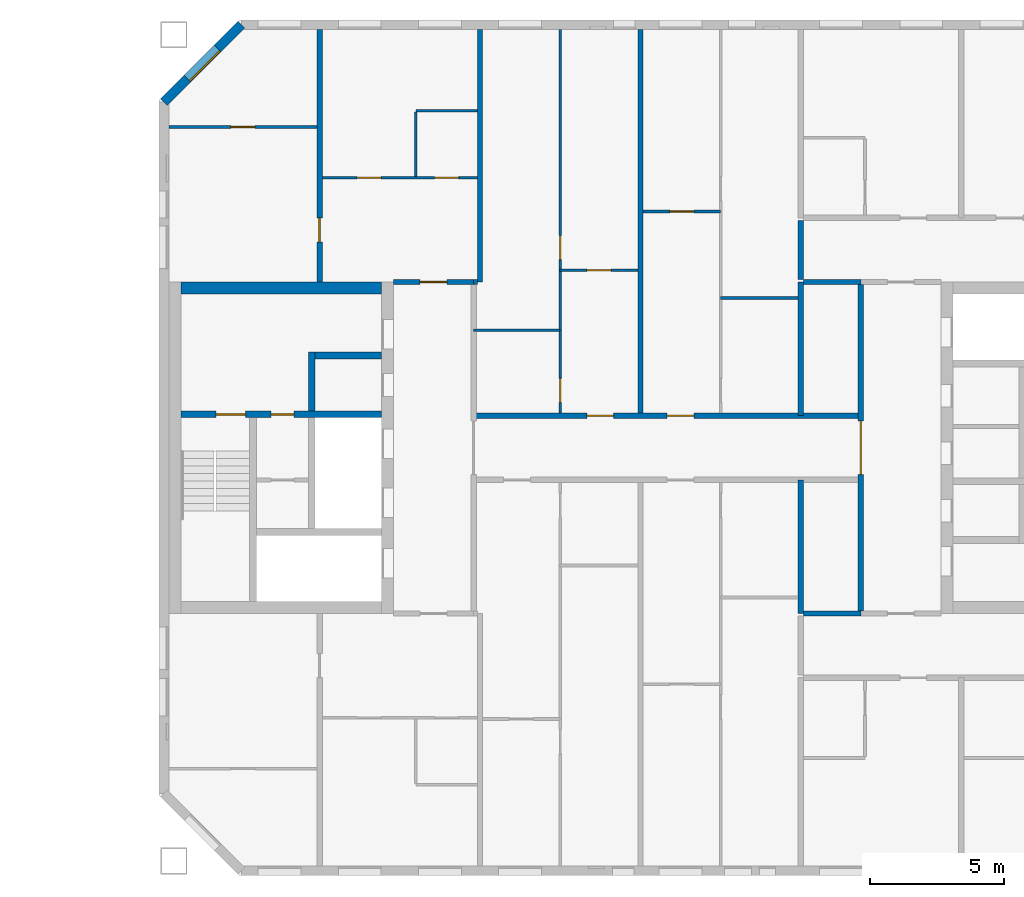
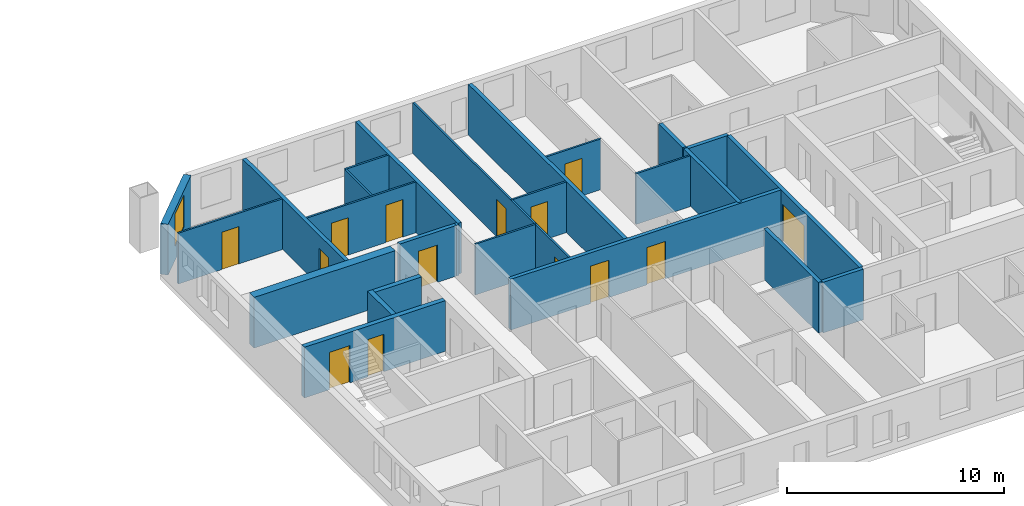
# One storey, part 10 of 15: 26 walls, 14 doors, 1 window, 15 openings.
"""IFC4 building model written with IfcOpenShell, lengths in metres."""

from ifc_helpers import new_model, si_unit, direction, frame, frame_2d, origin, place, context, subcontext, project, spatial, rectangle, extrude, material, layer, layer_set, type_object, element, fill, save


model = new_model("IFC4")

# Units and contexts
model_context = context("Model", 3, precision=1e-05, world=origin(), true_north=direction((0.0, 1.0)))
body_context = subcontext(model_context, "Body", "Model", "MODEL_VIEW")
ifc_project = project(units=[si_unit("LENGTHUNIT", "METRE"), si_unit("AREAUNIT", "SQUARE_METRE"), si_unit("VOLUMEUNIT", "CUBIC_METRE"), si_unit("PLANEANGLEUNIT", "RADIAN"), si_unit("MASSUNIT", "GRAM", prefix="KILO")], contexts=[model_context])

# Site, building, storey
site_placement = place(None, origin())
site = spatial("IfcSite", under=ifc_project, at=site_placement, CompositionType="ELEMENT")
building_placement = place(site_placement, origin())
building = spatial("IfcBuilding", under=site, at=building_placement, Name="Tuart Gate Housing", CompositionType="ELEMENT")
storey_placement = place(building_placement, frame((0.0, 0.0, 188.199951171875)))
storey = spatial("IfcBuildingStorey", under=building, at=storey_placement, Name="L53", CompositionType="ELEMENT", Elevation=188.199951171875)

# Wall, opening, window
ifc_material_1 = material(Name="Brick", Category="masonry")
ifc_layer_1 = layer(ifc_material_1, 0.360107421875)
ifc_layer_set_1 = layer_set([ifc_layer_1], Name="Brick pier and spandrel wall 360")
wall_type_1 = type_object("IfcWallType", Name="Brick pier and spandrel wall 360", PredefinedType="STANDARD", material=ifc_layer_set_1)
wall_1_placement = place(storey_placement, frame((134.07470703125, 85.820068359375, 0.0), z_axis=(0.0, 0.0, 1.0), x_axis=(-0.707106781187, -0.707106781187, 0.0)))
wall_1 = element("IfcWall", 1, at=wall_1_placement, inside=storey, type_object=wall_type_1, Name="External wall B-NW L53", PredefinedType="STANDARD", context=body_context, shape_type="SweptSolid", body=[
    extrude(rectangle(XDim=4.09375, YDim=0.360107421875, at=frame_2d((2.046875, 0.0))), origin(), (0.0, 0.0, 1.0), 2.85009765625),
])
opening_1_placement = place(wall_1_placement, frame((1.2470703125, 0.0, 0.800048828125)))
opening_1 = element("IfcOpeningElement", 2, at=opening_1_placement, cuts=wall_1, Name="Opening W1", PredefinedType="OPENING", context=body_context, shape_type="SweptSolid", body=[
    extrude(rectangle(XDim=1.60009765625, YDim=1.800048828125, at=frame_2d((0.800048828125, 0.89990234375))), frame((0.0, 0.18994140625, 0.0), z_axis=(0.0, -1.0, 0.0), x_axis=(1.0, 0.0, 0.0)), (0.0, 0.0, 1.0), 0.380126953125),
])
ifc_material_2 = material(Name="Aluminium frame with clear glass", Category="aluminium")
window_type = type_object("IfcWindowType", Name="Punched window 1600 x 1800", PartitioningType="SINGLE_PANEL", PredefinedType="WINDOW", material=ifc_material_2)
window_placement = place(opening_1_placement, origin())
window = element("IfcWindow", 3, at=window_placement, inside=storey, type_object=window_type, Name="Window W1", OverallHeight=1.800048828125, OverallWidth=1.60009765625, PartitioningType="SINGLE_PANEL", PredefinedType="WINDOW", context=body_context, shape_type="SweptSolid", body=[
    extrude(rectangle(XDim=1.60009765625, YDim=1.800048828125, at=frame_2d((0.800048828125, 0.89990234375))), frame((0.0, 0.150146484375, 0.0), z_axis=(0.0, -1.0, 0.0), x_axis=(1.0, 0.0, 0.0)), (0.0, 0.0, 1.0), 0.06005859375),
])
fill(opening_1, window)

# Wall, openings, doors
ifc_material_3 = material(Name="Concrete C40", Category="concrete")
ifc_layer_2 = layer(ifc_material_3, 0.25)
ifc_layer_set_2 = layer_set([ifc_layer_2], Name="Core wall 250 C40")
wall_type_2 = type_object("IfcWallType", Name="Core wall 250 C40", PredefinedType="SHEAR", material=ifc_layer_set_2)
wall_2_placement = place(storey_placement, frame((139.31005859375, 71.25, 0.0), z_axis=(0.0, 0.0, 1.0), x_axis=(-1.0, 0.0, 0.0)))
wall_2 = element("IfcWall", 4, at=wall_2_placement, inside=storey, type_object=wall_type_2, Name="Core wall BG.3", PredefinedType="SHEAR", context=body_context, shape_type="SweptSolid", body=[
    extrude(rectangle(XDim=7.5, YDim=0.25, at=frame_2d((3.75, 0.0))), origin(), (0.0, 0.0, 1.0), 2.85009765625),
])
opening_2_placement = place(wall_2_placement, frame((5.074951171875, 0.0, 0.0)))
opening_2 = element("IfcOpeningElement", 5, at=opening_2_placement, cuts=wall_2, Name="Opening D1914", PredefinedType="OPENING", context=body_context, shape_type="SweptSolid", body=[
    extrude(rectangle(XDim=1.10009765625, YDim=2.10009765625, at=frame_2d((0.550048828125, 1.050048828125))), frame((0.0, 0.135009765625, 0.0), z_axis=(0.0, -1.0, 0.0), x_axis=(1.0, 0.0, 0.0)), (0.0, 0.0, 1.0), 0.27001953125),
])
opening_3_placement = place(wall_2_placement, frame((3.27490234375, 0.0, 0.0)))
opening_3 = element("IfcOpeningElement", 6, at=opening_3_placement, cuts=wall_2, Name="Opening D1913", PredefinedType="OPENING", context=body_context, shape_type="SweptSolid", body=[
    extrude(rectangle(XDim=0.85009765625, YDim=2.10009765625, at=frame_2d((0.425048828125, 1.050048828125))), frame((0.0, 0.135009765625, 0.0), z_axis=(0.0, -1.0, 0.0), x_axis=(1.0, 0.0, 0.0)), (0.0, 0.0, 1.0), 0.27001953125),
])
ifc_material_4 = material(Name="Steel fire door", Category="steel")
door_type_1 = type_object("IfcDoorType", Name="Riser door 850 x 2100", OperationType="SINGLE_SWING_LEFT", PredefinedType="DOOR", material=ifc_material_4)
door_1_placement = place(opening_3_placement, origin())
door_1 = element("IfcDoor", 7, at=door_1_placement, inside=storey, type_object=door_type_1, Name="Service room door BG.W1", OperationType="SINGLE_SWING_LEFT", OverallHeight=2.10009765625, OverallWidth=0.85009765625, PredefinedType="DOOR", context=body_context, shape_type="SweptSolid", body=[
    extrude(rectangle(XDim=0.85009765625, YDim=2.10009765625, at=frame_2d((0.425048828125, 1.050048828125))), frame((0.0, 0.02490234375, 0.0), z_axis=(0.0, -1.0, 0.0), x_axis=(1.0, 0.0, 0.0)), (0.0, 0.0, 1.0), 0.050048828125),
])
fill(opening_3, door_1)
ifc_material_5 = material(Name="Steel fire door", Category="steel")
door_type_2 = type_object("IfcDoorType", Name="Stair door 1100 x 2100", OperationType="SINGLE_SWING_LEFT", PredefinedType="DOOR", material=ifc_material_5)
door_2_placement = place(opening_2_placement, origin())
door_2 = element("IfcDoor", 8, at=door_2_placement, inside=storey, type_object=door_type_2, Name="Stair door BG.SD", OperationType="SINGLE_SWING_LEFT", OverallHeight=2.10009765625, OverallWidth=1.10009765625, PredefinedType="DOOR", context=body_context, shape_type="SweptSolid", body=[
    extrude(rectangle(XDim=1.10009765625, YDim=2.10009765625, at=frame_2d((0.550048828125, 1.050048828125))), frame((0.0, 0.02490234375, 0.0), z_axis=(0.0, -1.0, 0.0), x_axis=(1.0, 0.0, 0.0)), (0.0, 0.0, 1.0), 0.050048828125),
])
fill(opening_2, door_2)

# Walls
wall_3_placement = place(storey_placement, frame((139.31005859375, 73.449951171875, 0.0), z_axis=(0.0, 0.0, 1.0), x_axis=(-1.0, 0.0, 0.0)))
element("IfcWall", 9, at=wall_3_placement, inside=storey, type_object=wall_type_2, Name="Core wall BG.4", PredefinedType="SHEAR", context=body_context, shape_type="SweptSolid", body=[
    extrude(rectangle(XDim=2.47509765625, YDim=0.25, at=frame_2d((1.237548828125, 0.0))), origin(), (0.0, 0.0, 1.0), 2.85009765625),
])
wall_4_placement = place(storey_placement, frame((136.7099609375, 71.375, 0.0), z_axis=(0.0, 0.0, 1.0), x_axis=(0.0, 1.0, 0.0)))
element("IfcWall", 10, at=wall_4_placement, inside=storey, type_object=wall_type_2, Name="Core wall BG.6", PredefinedType="SHEAR", context=body_context, shape_type="SweptSolid", body=[
    extrude(rectangle(XDim=2.199951171875, YDim=0.25, at=frame_2d((1.10009765625, 0.0))), origin(), (0.0, 0.0, 1.0), 2.85009765625),
])
ifc_material_6 = material(Name="Concrete C40", Category="concrete")
ifc_layer_3 = layer(ifc_material_6, 0.449951171875)
ifc_layer_set_3 = layer_set([ifc_layer_3], Name="Core wall 450 C40")
wall_type_3 = type_object("IfcWallType", Name="Core wall 450 C40", PredefinedType="SHEAR", material=ifc_layer_set_3)
wall_5_placement = place(storey_placement, frame((139.31005859375, 75.97509765625, 0.0), z_axis=(0.0, 0.0, 1.0), x_axis=(-1.0, 0.0, 0.0)))
element("IfcWall", 11, at=wall_5_placement, inside=storey, type_object=wall_type_3, Name="Core wall BG north", PredefinedType="SHEAR", context=body_context, shape_type="SweptSolid", body=[
    extrude(rectangle(XDim=7.5, YDim=0.449951171875, at=frame_2d((3.75, 0.0))), origin(), (0.0, 0.0, 1.0), 2.85009765625),
])
ifc_material_7 = material(Name="Concrete masonry 15 MPa", Category="masonry")
ifc_layer_4 = layer(ifc_material_7, 0.199951171875)
ifc_layer_set_4 = layer_set([ifc_layer_4], Name="Corridor wall masonry 200")
wall_type_4 = type_object("IfcWallType", Name="Corridor wall masonry 200", PredefinedType="PARTITIONING", material=ifc_layer_set_4)
wall_6_placement = place(storey_placement, frame((155.10009765625, 63.800048828125, 0.0), z_axis=(0.0, 0.0, 1.0), x_axis=(1.0, 0.0, 0.0)))
element("IfcWall", 12, at=wall_6_placement, inside=storey, type_object=wall_type_4, Name="Corridor wall masonry 200", PredefinedType="PARTITIONING", context=body_context, shape_type="SweptSolid", body=[
    extrude(rectangle(XDim=2.139892578125, YDim=0.199951171875, at=frame_2d((1.06982421875, 0.0))), origin(), (0.0, 0.0, 1.0), 2.85009765625),
])

# Wall, openings, doors
wall_7_placement = place(storey_placement, frame((142.760009765625, 71.199951171875, 0.0), z_axis=(0.0, 0.0, 1.0), x_axis=(1.0, 0.0, 0.0)))
wall_7 = element("IfcWall", 13, at=wall_7_placement, inside=storey, type_object=wall_type_4, Name="Corridor wall masonry 200", PredefinedType="PARTITIONING", context=body_context, shape_type="SweptSolid", body=[
    extrude(rectangle(XDim=14.47998046875, YDim=0.199951171875, at=frame_2d((7.239990234375, 0.0))), origin(), (0.0, 0.0, 1.0), 2.85009765625),
])
opening_4_placement = place(wall_7_placement, frame((4.239990234375, 0.0, 0.0)))
opening_4 = element("IfcOpeningElement", 14, at=opening_4_placement, cuts=wall_7, Name="Opening D1915", PredefinedType="OPENING", context=body_context, shape_type="SweptSolid", body=[
    extrude(rectangle(XDim=1.0, YDim=2.10009765625, at=frame_2d((0.5, 1.050048828125))), frame((0.0, 0.10986328125, 0.0), z_axis=(0.0, -1.0, 0.0), x_axis=(1.0, 0.0, 0.0)), (0.0, 0.0, 1.0), 0.219970703125),
])
opening_5_placement = place(wall_7_placement, frame((7.239990234375, 0.0, 0.0)))
opening_5 = element("IfcOpeningElement", 15, at=opening_5_placement, cuts=wall_7, Name="Opening D1916", PredefinedType="OPENING", context=body_context, shape_type="SweptSolid", body=[
    extrude(rectangle(XDim=1.0, YDim=2.10009765625, at=frame_2d((0.5, 1.050048828125))), frame((0.0, 0.10986328125, 0.0), z_axis=(0.0, -1.0, 0.0), x_axis=(1.0, 0.0, 0.0)), (0.0, 0.0, 1.0), 0.219970703125),
])
ifc_material_8 = material(Name="Timber door leaf in steel frame", Category="steel")
door_type_3 = type_object("IfcDoorType", Name="Flat entrance door 1000", OperationType="SINGLE_SWING_LEFT", PredefinedType="DOOR", material=ifc_material_8)
door_3_placement = place(opening_4_placement, origin())
door_3 = element("IfcDoor", 16, at=door_3_placement, inside=storey, type_object=door_type_3, Name="Flat entrance door", OperationType="SINGLE_SWING_LEFT", OverallHeight=2.10009765625, OverallWidth=1.0, PredefinedType="DOOR", context=body_context, shape_type="SweptSolid", body=[
    extrude(rectangle(XDim=1.0, YDim=2.10009765625, at=frame_2d((0.5, 1.050048828125))), frame((0.0, 0.02490234375, 0.0), z_axis=(0.0, -1.0, 0.0), x_axis=(1.0, 0.0, 0.0)), (0.0, 0.0, 1.0), 0.050048828125),
])
fill(opening_4, door_3)
door_4_placement = place(opening_5_placement, origin())
door_4 = element("IfcDoor", 17, at=door_4_placement, inside=storey, type_object=door_type_3, Name="Flat entrance door", OperationType="SINGLE_SWING_LEFT", OverallHeight=2.10009765625, OverallWidth=1.0, PredefinedType="DOOR", context=body_context, shape_type="SweptSolid", body=[
    extrude(rectangle(XDim=1.0, YDim=2.10009765625, at=frame_2d((0.5, 1.050048828125))), frame((0.0, 0.02490234375, 0.0), z_axis=(0.0, -1.0, 0.0), x_axis=(1.0, 0.0, 0.0)), (0.0, 0.0, 1.0), 0.050048828125),
])
fill(opening_5, door_4)

# Walls
wall_8_placement = place(storey_placement, frame((155.10009765625, 76.199951171875, 0.0), z_axis=(0.0, 0.0, 1.0), x_axis=(1.0, 0.0, 0.0)))
element("IfcWall", 18, at=wall_8_placement, inside=storey, type_object=wall_type_4, Name="Corridor wall masonry 200", PredefinedType="PARTITIONING", context=body_context, shape_type="SweptSolid", body=[
    extrude(rectangle(XDim=2.139892578125, YDim=0.199951171875, at=frame_2d((1.06982421875, 0.0))), origin(), (0.0, 0.0, 1.0), 2.85009765625),
])
wall_9_placement = place(storey_placement, frame((155.0, 76.300048828125, 0.0), z_axis=(0.0, 0.0, 1.0), x_axis=(0.0, 1.0, 0.0)))
element("IfcWall", 19, at=wall_9_placement, inside=storey, type_object=wall_type_4, Name="Corridor wall masonry 200", PredefinedType="PARTITIONING", context=body_context, shape_type="SweptSolid", body=[
    extrude(rectangle(XDim=2.199951171875, YDim=0.199951171875, at=frame_2d((1.10009765625, 0.0))), origin(), (0.0, 0.0, 1.0), 2.85009765625),
])

# Wall, opening, door
ifc_material_9 = material(Name="Concrete masonry 15 MPa", Category="masonry")
ifc_layer_5 = layer(ifc_material_9, 0.199951171875)
ifc_layer_set_5 = layer_set([ifc_layer_5], Name="Enclosure wall masonry 200")
wall_type_5 = type_object("IfcWallType", Name="Enclosure wall masonry 200", PredefinedType="PARTITIONING", material=ifc_layer_set_5)
wall_10_placement = place(storey_placement, frame((139.760009765625, 76.199951171875, 0.0), z_axis=(0.0, 0.0, 1.0), x_axis=(1.0, 0.0, 0.0)))
wall_10 = element("IfcWall", 20, at=wall_10_placement, inside=storey, type_object=wall_type_5, Name="Enclosure wall masonry 200", PredefinedType="PARTITIONING", context=body_context, shape_type="SweptSolid", body=[
    extrude(rectangle(XDim=3.0, YDim=0.199951171875, at=frame_2d((1.5, 0.0))), origin(), (0.0, 0.0, 1.0), 2.85009765625),
])
opening_6_placement = place(wall_10_placement, frame((1.0, 0.0, 0.0)))
opening_6 = element("IfcOpeningElement", 21, at=opening_6_placement, cuts=wall_10, Name="Opening D1911", PredefinedType="OPENING", context=body_context, shape_type="SweptSolid", body=[
    extrude(rectangle(XDim=1.0, YDim=2.10009765625, at=frame_2d((0.5, 1.050048828125))), frame((0.0, 0.10986328125, 0.0), z_axis=(0.0, -1.0, 0.0), x_axis=(1.0, 0.0, 0.0)), (0.0, 0.0, 1.0), 0.219970703125),
])
ifc_material_10 = material(Name="Timber door leaf in steel frame", Category="steel")
door_type_4 = type_object("IfcDoorType", Name="Flat entrance door 1000 RH", OperationType="SINGLE_SWING_RIGHT", PredefinedType="DOOR", material=ifc_material_10)
door_5_placement = place(opening_6_placement, origin())
door_5 = element("IfcDoor", 22, at=door_5_placement, inside=storey, type_object=door_type_4, Name="Flat entrance door", OperationType="SINGLE_SWING_RIGHT", OverallHeight=2.10009765625, OverallWidth=1.0, PredefinedType="DOOR", context=body_context, shape_type="SweptSolid", body=[
    extrude(rectangle(XDim=1.0, YDim=2.10009765625, at=frame_2d((0.5, 1.050048828125))), frame((0.0, 0.02490234375, 0.0), z_axis=(0.0, -1.0, 0.0), x_axis=(1.0, 0.0, 0.0)), (0.0, 0.0, 1.0), 0.050048828125),
])
fill(opening_6, door_5)

ifc_material_11 = material(Name="Plasterboard partition")
ifc_layer_6 = layer(ifc_material_11, 0.199951171875)
ifc_layer_set_6 = layer_set([ifc_layer_6], Name="Lobby wall 200")
wall_type_6 = type_object("IfcWallType", Name="Lobby wall 200", PredefinedType="PARTITIONING", material=ifc_layer_set_6)
wall_11_placement = place(storey_placement, frame((157.239990234375, 63.89990234375, 0.0), z_axis=(0.0, 0.0, 1.0), x_axis=(0.0, 1.0, 0.0)))
wall_11 = element("IfcWall", 23, at=wall_11_placement, inside=storey, type_object=wall_type_6, Name="Lift lobby wall BK", PredefinedType="PARTITIONING", context=body_context, shape_type="SweptSolid", body=[
    extrude(rectangle(XDim=12.2001953125, YDim=0.199951171875, at=frame_2d((6.10009765625, 0.0))), origin(), (0.0, 0.0, 1.0), 2.85009765625),
])
opening_7_placement = place(wall_11_placement, frame((5.10009765625, 0.0, 0.0)))
opening_7 = element("IfcOpeningElement", 24, at=opening_7_placement, cuts=wall_11, Name="Opening D1920", PredefinedType="OPENING", context=body_context, shape_type="SweptSolid", body=[
    extrude(rectangle(XDim=2.0, YDim=2.10009765625, at=frame_2d((1.0, 1.050048828125))), frame((0.0, 0.10986328125, 0.0), z_axis=(0.0, -1.0, 0.0), x_axis=(1.0, 0.0, 0.0)), (0.0, 0.0, 1.0), 0.219970703125),
])
ifc_material_12 = material(Name="Steel fire door", Category="steel")
door_type_5 = type_object("IfcDoorType", Name="Smoke door 2000 x 2100", OperationType="DOUBLE_DOOR_SINGLE_SWING", PredefinedType="DOOR", material=ifc_material_12)
door_6_placement = place(opening_7_placement, frame((2.0, 0.0, 0.0), z_axis=(0.0, 0.0, 1.0), x_axis=(-1.0, 0.0, 0.0)))
door_6 = element("IfcDoor", 25, at=door_6_placement, inside=storey, type_object=door_type_5, Name="Lift lobby smoke door BK", OperationType="DOUBLE_DOOR_SINGLE_SWING", OverallHeight=2.10009765625, OverallWidth=2.0, PredefinedType="DOOR", context=body_context, shape_type="SweptSolid", body=[
    extrude(rectangle(XDim=2.0, YDim=2.10009765625, at=frame_2d((1.0, 1.050048828125))), frame((0.0, 0.025146484375, 0.0), z_axis=(0.0, -1.0, 0.0), x_axis=(1.0, 0.0, 0.0)), (0.0, 0.0, 1.0), 0.050048828125),
])
fill(opening_7, door_6)

# Walls
ifc_material_13 = material(Name="Gypsum board on steel studs", Category="steel")
ifc_layer_7 = layer(ifc_material_13, 0.10009765625)
ifc_layer_set_7 = layer_set([ifc_layer_7], Name="Partition 100")
wall_type_7 = type_object("IfcWallType", Name="Partition 100", PredefinedType="PARTITIONING", material=ifc_layer_set_7)
wall_12_placement = place(storey_placement, frame((142.760009765625, 74.39990234375, 0.0), z_axis=(0.0, 0.0, 1.0), x_axis=(1.0, 0.0, 0.0)))
element("IfcWall", 26, at=wall_12_placement, inside=storey, type_object=wall_type_7, Name="Partition 100", PredefinedType="PARTITIONING", context=body_context, shape_type="SweptSolid", body=[
    extrude(rectangle(XDim=3.239990234375, YDim=0.10009765625, at=frame_2d((1.6201171875, 0.0))), origin(), (0.0, 0.0, 1.0), 2.85009765625),
])
wall_13_placement = place(storey_placement, frame((152.0, 75.60009765625, 0.0), z_axis=(0.0, 0.0, 1.0), x_axis=(1.0, 0.0, 0.0)))
element("IfcWall", 27, at=wall_13_placement, inside=storey, type_object=wall_type_7, Name="Partition 100", PredefinedType="PARTITIONING", context=body_context, shape_type="SweptSolid", body=[
    extrude(rectangle(XDim=2.89990234375, YDim=0.10009765625, at=frame_2d((1.449951171875, 0.0))), origin(), (0.0, 0.0, 1.0), 2.85009765625),
])

# Wall, opening, door
wall_14_placement = place(storey_placement, frame((146.0, 76.639892578125, 0.0), z_axis=(0.0, 0.0, 1.0), x_axis=(1.0, 0.0, 0.0)))
wall_14 = element("IfcWall", 28, at=wall_14_placement, inside=storey, type_object=wall_type_7, Name="Partition 100", PredefinedType="PARTITIONING", context=body_context, shape_type="SweptSolid", body=[
    extrude(rectangle(XDim=2.89990234375, YDim=0.10009765625, at=frame_2d((1.449951171875, 0.0))), origin(), (0.0, 0.0, 1.0), 2.85009765625),
])
opening_8_placement = place(wall_14_placement, frame((1.0, 0.0, 0.0)))
opening_8 = element("IfcOpeningElement", 29, at=opening_8_placement, cuts=wall_14, Name="Opening D1910", PredefinedType="OPENING", context=body_context, shape_type="SweptSolid", body=[
    extrude(rectangle(XDim=0.89990234375, YDim=2.10009765625, at=frame_2d((0.449951171875, 1.050048828125))), frame((0.0, 0.06005859375, 0.0), z_axis=(0.0, -1.0, 0.0), x_axis=(1.0, 0.0, 0.0)), (0.0, 0.0, 1.0), 0.1201171875),
])
ifc_material_14 = material(Name="Timber door leaf in steel frame", Category="steel")
door_type_6 = type_object("IfcDoorType", Name="Internal door 900 RH", OperationType="SINGLE_SWING_RIGHT", PredefinedType="DOOR", material=ifc_material_14)
door_7_placement = place(opening_8_placement, frame((0.89990234375, 0.0, 0.0), z_axis=(0.0, 0.0, 1.0), x_axis=(-1.0, 0.0, 0.0)))
door_7 = element("IfcDoor", 30, at=door_7_placement, inside=storey, type_object=door_type_6, Name="Internal door", OperationType="SINGLE_SWING_RIGHT", OverallHeight=2.10009765625, OverallWidth=0.89990234375, PredefinedType="DOOR", context=body_context, shape_type="SweptSolid", body=[
    extrude(rectangle(XDim=0.89990234375, YDim=2.10009765625, at=frame_2d((0.449951171875, 1.050048828125))), frame((0.0, 0.025146484375, 0.0), z_axis=(0.0, -1.0, 0.0), x_axis=(1.0, 0.0, 0.0)), (0.0, 0.0, 1.0), 0.050048828125),
])
fill(opening_8, door_7)

wall_15_placement = place(storey_placement, frame((149.10009765625, 78.840087890625, 0.0), z_axis=(0.0, 0.0, 1.0), x_axis=(1.0, 0.0, 0.0)))
wall_15 = element("IfcWall", 31, at=wall_15_placement, inside=storey, type_object=wall_type_7, Name="Partition 100", PredefinedType="PARTITIONING", context=body_context, shape_type="SweptSolid", body=[
    extrude(rectangle(XDim=2.89990234375, YDim=0.10009765625, at=frame_2d((1.449951171875, 0.0))), origin(), (0.0, 0.0, 1.0), 2.85009765625),
])
opening_9_placement = place(wall_15_placement, frame((1.0, 0.0, 0.0)))
opening_9 = element("IfcOpeningElement", 32, at=opening_9_placement, cuts=wall_15, Name="Opening D1903", PredefinedType="OPENING", context=body_context, shape_type="SweptSolid", body=[
    extrude(rectangle(XDim=0.89990234375, YDim=2.10009765625, at=frame_2d((0.449951171875, 1.050048828125))), frame((0.0, 0.06005859375, 0.0), z_axis=(0.0, -1.0, 0.0), x_axis=(1.0, 0.0, 0.0)), (0.0, 0.0, 1.0), 0.1201171875),
])
ifc_material_15 = material(Name="Timber door leaf in steel frame", Category="steel")
door_type_7 = type_object("IfcDoorType", Name="Internal door 900", OperationType="SINGLE_SWING_LEFT", PredefinedType="DOOR", material=ifc_material_15)
door_8_placement = place(opening_9_placement, frame((0.89990234375, 0.0, 0.0), z_axis=(0.0, 0.0, 1.0), x_axis=(-1.0, 0.0, 0.0)))
door_8 = element("IfcDoor", 33, at=door_8_placement, inside=storey, type_object=door_type_7, Name="Internal door", OperationType="SINGLE_SWING_LEFT", OverallHeight=2.10009765625, OverallWidth=0.89990234375, PredefinedType="DOOR", context=body_context, shape_type="SweptSolid", body=[
    extrude(rectangle(XDim=0.89990234375, YDim=2.10009765625, at=frame_2d((0.449951171875, 1.050048828125))), frame((0.0, 0.025146484375, 0.0), z_axis=(0.0, -1.0, 0.0), x_axis=(1.0, 0.0, 0.0)), (0.0, 0.0, 1.0), 0.050048828125),
])
fill(opening_9, door_8)

# Wall, openings, doors
wall_16_placement = place(storey_placement, frame((137.10009765625, 80.10009765625, 0.0), z_axis=(0.0, 0.0, 1.0), x_axis=(1.0, 0.0, 0.0)))
wall_16 = element("IfcWall", 34, at=wall_16_placement, inside=storey, type_object=wall_type_7, Name="Partition 100", PredefinedType="PARTITIONING", context=body_context, shape_type="SweptSolid", body=[
    extrude(rectangle(XDim=5.7998046875, YDim=0.10009765625, at=frame_2d((2.89990234375, 0.0))), origin(), (0.0, 0.0, 1.0), 2.85009765625),
])
opening_10_placement = place(wall_16_placement, frame((1.300048828125, 0.0, 0.0)))
opening_10 = element("IfcOpeningElement", 35, at=opening_10_placement, cuts=wall_16, Name="Opening D1902", PredefinedType="OPENING", context=body_context, shape_type="SweptSolid", body=[
    extrude(rectangle(XDim=0.89990234375, YDim=2.10009765625, at=frame_2d((0.449951171875, 1.050048828125))), frame((0.0, 0.06005859375, 0.0), z_axis=(0.0, -1.0, 0.0), x_axis=(1.0, 0.0, 0.0)), (0.0, 0.0, 1.0), 0.1201171875),
])
opening_11_placement = place(wall_16_placement, frame((4.199951171875, 0.0, 0.0)))
opening_11 = element("IfcOpeningElement", 36, at=opening_11_placement, cuts=wall_16, Name="Opening D1901", PredefinedType="OPENING", context=body_context, shape_type="SweptSolid", body=[
    extrude(rectangle(XDim=0.89990234375, YDim=2.10009765625, at=frame_2d((0.449951171875, 1.050048828125))), frame((0.0, 0.06005859375, 0.0), z_axis=(0.0, -1.0, 0.0), x_axis=(1.0, 0.0, 0.0)), (0.0, 0.0, 1.0), 0.1201171875),
])
ifc_material_16 = material(Name="Timber door leaf in steel frame", Category="steel")
door_type_8 = type_object("IfcDoorType", Name="Bathroom door 900", OperationType="SINGLE_SWING_LEFT", PredefinedType="DOOR", material=ifc_material_16)
door_9_placement = place(opening_11_placement, origin())
door_9 = element("IfcDoor", 37, at=door_9_placement, inside=storey, type_object=door_type_8, Name="Bathroom door", OperationType="SINGLE_SWING_LEFT", OverallHeight=2.10009765625, OverallWidth=0.89990234375, PredefinedType="DOOR", context=body_context, shape_type="SweptSolid", body=[
    extrude(rectangle(XDim=0.89990234375, YDim=2.10009765625, at=frame_2d((0.449951171875, 1.050048828125))), frame((0.0, 0.02490234375, 0.0), z_axis=(0.0, -1.0, 0.0), x_axis=(1.0, 0.0, 0.0)), (0.0, 0.0, 1.0), 0.050048828125),
])
fill(opening_11, door_9)
door_10_placement = place(opening_10_placement, origin())
door_10 = element("IfcDoor", 38, at=door_10_placement, inside=storey, type_object=door_type_6, Name="Internal door", OperationType="SINGLE_SWING_RIGHT", OverallHeight=2.10009765625, OverallWidth=0.89990234375, PredefinedType="DOOR", context=body_context, shape_type="SweptSolid", body=[
    extrude(rectangle(XDim=0.89990234375, YDim=2.10009765625, at=frame_2d((0.449951171875, 1.050048828125))), frame((0.0, 0.02490234375, 0.0), z_axis=(0.0, -1.0, 0.0), x_axis=(1.0, 0.0, 0.0)), (0.0, 0.0, 1.0), 0.050048828125),
])
fill(opening_10, door_10)

# Wall, opening, door
wall_17_placement = place(storey_placement, frame((131.360107421875, 82.0, 0.0), z_axis=(0.0, 0.0, 1.0), x_axis=(1.0, 0.0, 0.0)))
wall_17 = element("IfcWall", 39, at=wall_17_placement, inside=storey, type_object=wall_type_7, Name="Partition 100", PredefinedType="PARTITIONING", context=body_context, shape_type="SweptSolid", body=[
    extrude(rectangle(XDim=5.539794921875, YDim=0.10009765625, at=frame_2d((2.77001953125, 0.0))), origin(), (0.0, 0.0, 1.0), 2.85009765625),
])
opening_12_placement = place(wall_17_placement, frame((2.320068359375, 0.0, 0.0)))
opening_12 = element("IfcOpeningElement", 40, at=opening_12_placement, cuts=wall_17, Name="Opening D1897", PredefinedType="OPENING", context=body_context, shape_type="SweptSolid", body=[
    extrude(rectangle(XDim=0.89990234375, YDim=2.10009765625, at=frame_2d((0.449951171875, 1.050048828125))), frame((0.0, 0.06005859375, 0.0), z_axis=(0.0, -1.0, 0.0), x_axis=(1.0, 0.0, 0.0)), (0.0, 0.0, 1.0), 0.1201171875),
])
door_11_placement = place(opening_12_placement, origin())
door_11 = element("IfcDoor", 41, at=door_11_placement, inside=storey, type_object=door_type_7, Name="Internal door", OperationType="SINGLE_SWING_LEFT", OverallHeight=2.10009765625, OverallWidth=0.89990234375, PredefinedType="DOOR", context=body_context, shape_type="SweptSolid", body=[
    extrude(rectangle(XDim=0.89990234375, YDim=2.10009765625, at=frame_2d((0.449951171875, 1.050048828125))), frame((0.0, 0.02490234375, 0.0), z_axis=(0.0, -1.0, 0.0), x_axis=(1.0, 0.0, 0.0)), (0.0, 0.0, 1.0), 0.050048828125),
])
fill(opening_12, door_11)

# Walls
wall_18_placement = place(storey_placement, frame((140.60009765625, 82.60009765625, 0.0), z_axis=(0.0, 0.0, 1.0), x_axis=(1.0, 0.0, 0.0)))
element("IfcWall", 42, at=wall_18_placement, inside=storey, type_object=wall_type_7, Name="Partition 100", PredefinedType="PARTITIONING", context=body_context, shape_type="SweptSolid", body=[
    extrude(rectangle(XDim=2.2998046875, YDim=0.10009765625, at=frame_2d((1.14990234375, 0.0))), origin(), (0.0, 0.0, 1.0), 2.85009765625),
])
wall_19_placement = place(storey_placement, frame((140.60009765625, 80.14990234375, 0.0), z_axis=(0.0, 0.0, 1.0), x_axis=(0.0, 1.0, 0.0)))
element("IfcWall", 43, at=wall_19_placement, inside=storey, type_object=wall_type_7, Name="Partition 100", PredefinedType="PARTITIONING", context=body_context, shape_type="SweptSolid", body=[
    extrude(rectangle(XDim=2.400146484375, YDim=0.10009765625, at=frame_2d((1.2001953125, 0.0))), origin(), (0.0, 0.0, 1.0), 2.85009765625),
])

# Wall, openings, doors
wall_20_placement = place(storey_placement, frame((146.0, 71.300048828125, 0.0), z_axis=(0.0, 0.0, 1.0), x_axis=(0.0, 1.0, 0.0)))
wall_20 = element("IfcWall", 44, at=wall_20_placement, inside=storey, type_object=wall_type_7, Name="Partition 100", PredefinedType="PARTITIONING", context=body_context, shape_type="SweptSolid", body=[
    extrude(rectangle(XDim=14.33984375, YDim=0.10009765625, at=frame_2d((7.169921875, 0.0))), origin(), (0.0, 0.0, 1.0), 2.85009765625),
])
opening_13_placement = place(wall_20_placement, frame((5.739990234375, 0.0, 0.0)))
opening_13 = element("IfcOpeningElement", 45, at=opening_13_placement, cuts=wall_20, Name="Opening D1907", PredefinedType="OPENING", context=body_context, shape_type="SweptSolid", body=[
    extrude(rectangle(XDim=0.89990234375, YDim=2.10009765625, at=frame_2d((0.449951171875, 1.050048828125))), frame((0.0, 0.06005859375, 0.0), z_axis=(0.0, -1.0, 0.0), x_axis=(1.0, 0.0, 0.0)), (0.0, 0.0, 1.0), 0.1201171875),
])
opening_14_placement = place(wall_20_placement, frame((0.39990234375, 0.0, 0.0)))
opening_14 = element("IfcOpeningElement", 46, at=opening_14_placement, cuts=wall_20, Name="Opening D1906", PredefinedType="OPENING", context=body_context, shape_type="SweptSolid", body=[
    extrude(rectangle(XDim=0.89990234375, YDim=2.10009765625, at=frame_2d((0.449951171875, 1.050048828125))), frame((0.0, 0.06005859375, 0.0), z_axis=(0.0, -1.0, 0.0), x_axis=(1.0, 0.0, 0.0)), (0.0, 0.0, 1.0), 0.1201171875),
])
door_12_placement = place(opening_14_placement, origin())
door_12 = element("IfcDoor", 47, at=door_12_placement, inside=storey, type_object=door_type_8, Name="Bathroom door", OperationType="SINGLE_SWING_LEFT", OverallHeight=2.10009765625, OverallWidth=0.89990234375, PredefinedType="DOOR", context=body_context, shape_type="SweptSolid", body=[
    extrude(rectangle(XDim=0.89990234375, YDim=2.10009765625, at=frame_2d((0.449951171875, 1.050048828125))), frame((0.0, 0.02490234375, 0.0), z_axis=(0.0, -1.0, 0.0), x_axis=(1.0, 0.0, 0.0)), (0.0, 0.0, 1.0), 0.050048828125),
])
fill(opening_14, door_12)
door_13_placement = place(opening_13_placement, origin())
door_13 = element("IfcDoor", 48, at=door_13_placement, inside=storey, type_object=door_type_7, Name="Internal door", OperationType="SINGLE_SWING_LEFT", OverallHeight=2.10009765625, OverallWidth=0.89990234375, PredefinedType="DOOR", context=body_context, shape_type="SweptSolid", body=[
    extrude(rectangle(XDim=0.89990234375, YDim=2.10009765625, at=frame_2d((0.449951171875, 1.050048828125))), frame((0.0, 0.02490234375, 0.0), z_axis=(0.0, -1.0, 0.0), x_axis=(1.0, 0.0, 0.0)), (0.0, 0.0, 1.0), 0.050048828125),
])
fill(opening_13, door_13)

# Wall, opening, door
ifc_material_17 = material(Name="Concrete C40", Category="concrete")
ifc_layer_8 = layer(ifc_material_17, 0.199951171875)
ifc_layer_set_8 = layer_set([ifc_layer_8], Name="Party wall concrete C40 200")
wall_type_8 = type_object("IfcWallType", Name="Party wall concrete C40 200", PredefinedType="SOLIDWALL", material=ifc_layer_set_8)
wall_21_placement = place(storey_placement, frame((137.0, 76.199951171875, 0.0), z_axis=(0.0, 0.0, 1.0), x_axis=(0.0, 1.0, 0.0)))
wall_21 = element("IfcWall", 49, at=wall_21_placement, inside=storey, type_object=wall_type_8, Name="Party wall concrete C40 200", PredefinedType="SOLIDWALL", context=body_context, shape_type="SweptSolid", body=[
    extrude(rectangle(XDim=9.43994140625, YDim=0.199951171875, at=frame_2d((4.719970703125, 0.0))), origin(), (0.0, 0.0, 1.0), 2.85009765625),
])
opening_15_placement = place(wall_21_placement, frame((1.5, 0.0, 0.0)))
opening_15 = element("IfcOpeningElement", 50, at=opening_15_placement, cuts=wall_21, Name="Opening D1898", PredefinedType="OPENING", context=body_context, shape_type="SweptSolid", body=[
    extrude(rectangle(XDim=0.89990234375, YDim=2.10009765625, at=frame_2d((0.449951171875, 1.050048828125))), frame((0.0, 0.10986328125, 0.0), z_axis=(0.0, -1.0, 0.0), x_axis=(1.0, 0.0, 0.0)), (0.0, 0.0, 1.0), 0.219970703125),
])
door_14_placement = place(opening_15_placement, frame((0.89990234375, 0.0, 0.0), z_axis=(0.0, 0.0, 1.0), x_axis=(-1.0, 0.0, 0.0)))
door_14 = element("IfcDoor", 51, at=door_14_placement, inside=storey, type_object=door_type_6, Name="Internal door", OperationType="SINGLE_SWING_RIGHT", OverallHeight=2.10009765625, OverallWidth=0.89990234375, PredefinedType="DOOR", context=body_context, shape_type="SweptSolid", body=[
    extrude(rectangle(XDim=0.89990234375, YDim=2.10009765625, at=frame_2d((0.449951171875, 1.050048828125))), frame((0.0, 0.025146484375, 0.0), z_axis=(0.0, -1.0, 0.0), x_axis=(1.0, 0.0, 0.0)), (0.0, 0.0, 1.0), 0.050048828125),
])
fill(opening_15, door_14)

# Walls
wall_22_placement = place(storey_placement, frame((143.0, 76.199951171875, 0.0), z_axis=(0.0, 0.0, 1.0), x_axis=(0.0, 1.0, 0.0)))
element("IfcWall", 52, at=wall_22_placement, inside=storey, type_object=wall_type_8, Name="Party wall concrete C40 200", PredefinedType="SOLIDWALL", context=body_context, shape_type="SweptSolid", body=[
    extrude(rectangle(XDim=9.43994140625, YDim=0.199951171875, at=frame_2d((4.719970703125, 0.0))), origin(), (0.0, 0.0, 1.0), 2.85009765625),
])
wall_23_placement = place(storey_placement, frame((149.0, 71.199951171875, 0.0), z_axis=(0.0, 0.0, 1.0), x_axis=(0.0, 1.0, 0.0)))
element("IfcWall", 53, at=wall_23_placement, inside=storey, type_object=wall_type_8, Name="Party wall concrete C40 200", PredefinedType="SOLIDWALL", context=body_context, shape_type="SweptSolid", body=[
    extrude(rectangle(XDim=14.43994140625, YDim=0.199951171875, at=frame_2d((7.219970703125, 0.0))), origin(), (0.0, 0.0, 1.0), 2.85009765625),
])
for number, where, z_axis, x_axis, name in (
    (54, (155.0, 63.800048828125, 0.0), (0.0, 0.0, 1.0), (0.0, 1.0, 0.0), "Party wall concrete C40 200"),
    (55, (155.0, 71.199951171875, 0.0), (0.0, 0.0, 1.0), (0.0, 1.0, 0.0), "Party wall concrete C40 200"),
):
    element("IfcWall", number, at=place(storey_placement, frame(where, z_axis=z_axis, x_axis=x_axis)), inside=storey, type_object=wall_type_8, Name=name, PredefinedType="SOLIDWALL", context=body_context, shape_type="SweptSolid", body=[
        extrude(rectangle(XDim=5.0, YDim=0.199951171875, at=frame_2d((2.5, 0.0))), origin(), (0.0, 0.0, 1.0), 2.85009765625),
    ])
ifc_material_18 = material(Name="Concrete masonry 15 MPa", Category="masonry")
ifc_layer_9 = layer(ifc_material_18, 0.199951171875)
ifc_layer_set_9 = layer_set([ifc_layer_9], Name="Party wall masonry 200")
wall_type_9 = type_object("IfcWallType", Name="Party wall masonry 200", PredefinedType="PARTITIONING", material=ifc_layer_set_9)
wall_24_placement = place(storey_placement, frame((142.760009765625, 76.199951171875, 0.0), z_axis=(0.0, 0.0, 1.0), x_axis=(1.0, 0.0, 0.0)))
element("IfcWall", 56, at=wall_24_placement, inside=storey, type_object=wall_type_9, Name="Party wall masonry 200", PredefinedType="PARTITIONING", context=body_context, shape_type="SweptSolid", body=[
    extrude(rectangle(XDim=0.139892578125, YDim=0.199951171875, at=frame_2d((0.06982421875, 0.0))), origin(), (0.0, 0.0, 1.0), 2.85009765625),
])

save(model, "model.ifc")
